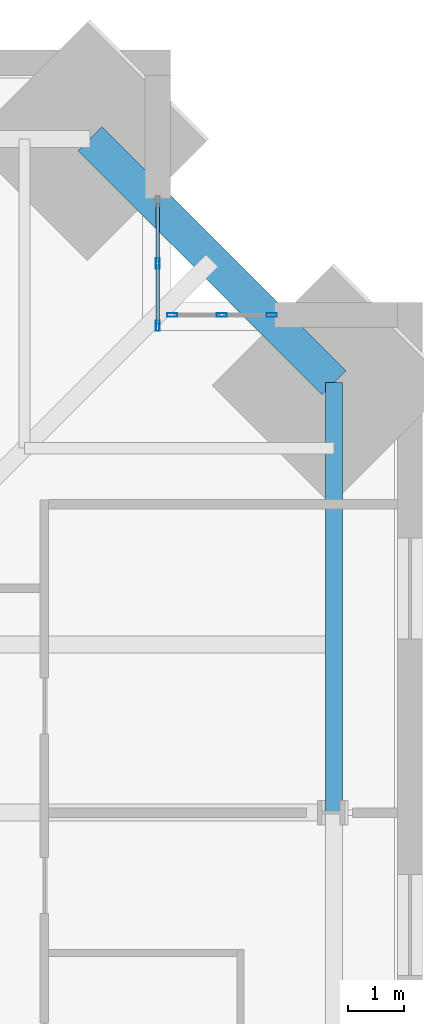
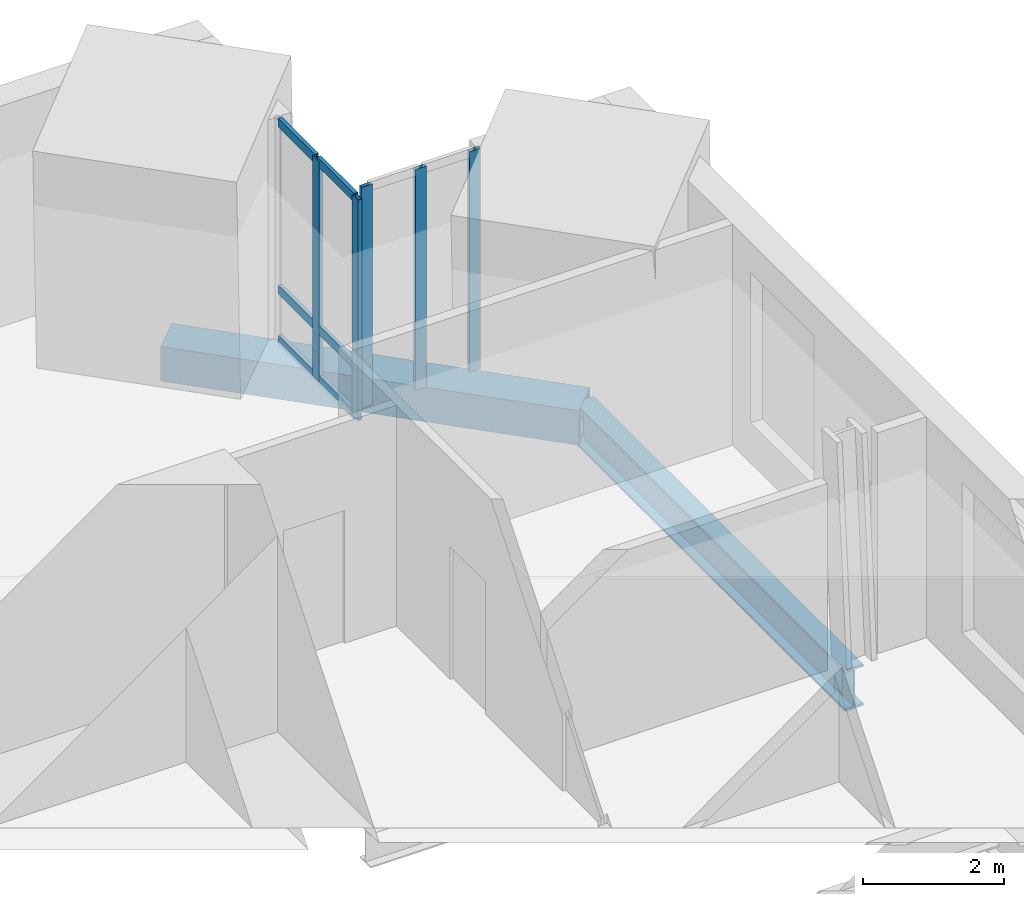
# One storey, part 8 of 16: 11 members, 2 beams, 2 elements without a shape of their own.
"""IFC4 building model written with IfcOpenShell, lengths in metres."""

from ifc_helpers import new_model, si_unit, direction, frame, origin, origin_2d, place, context, subcontext, project, spatial, hollow_rectangle, i_section, extrude, material, material_profile, profile_set, type_object, element, aggregate, save


model = new_model("IFC4")

# Units and contexts
model_context = context("Model", 3, precision=1e-05, world=origin(), true_north=direction((0.0, 1.0)))
body_context = subcontext(model_context, "Body", "Model", "MODEL_VIEW")
ifc_project = project(units=[si_unit("LENGTHUNIT", "METRE"), si_unit("AREAUNIT", "SQUARE_METRE"), si_unit("VOLUMEUNIT", "CUBIC_METRE"), si_unit("PLANEANGLEUNIT", "RADIAN"), si_unit("MASSUNIT", "GRAM", prefix="KILO")], contexts=[model_context])

# Site, building, storey
site_placement = place(None, origin())
site = spatial("IfcSite", under=ifc_project, at=site_placement, CompositionType="ELEMENT")
building_placement = place(site_placement, origin())
building = spatial("IfcBuilding", under=site, at=building_placement, Name="Peilmerk Tower", CompositionType="ELEMENT")
storey_placement = place(building_placement, frame((0.0, 0.0, 269.800048828125)))
storey = spatial("IfcBuildingStorey", under=building, at=storey_placement, Name="L60", CompositionType="ELEMENT", Elevation=269.800048828125)

# Beams
ifc_material_1 = material(Name="Steel S460", Category="steel")
ifc_material_profile_1 = material_profile(ifc_material_1, hollow_rectangle(XDim=0.60009765625, YDim=0.60009765625, WallThickness=0.06005859375, at=origin_2d()), Name="BOX 600x600x60")
ifc_profile_set_1 = profile_set([ifc_material_profile_1], Name="Steel S460")
beam_type_1 = type_object("IfcBeamType", Name="B20 BOX 600x600x60 notch beam", PredefinedType="SPANDREL", material=ifc_profile_set_1)
beam_1_placement = place(storey_placement, frame((15.667724609375, 20.017822265625, -0.469970703125), z_axis=(0.707106781187, -0.707106781187, 0.0), x_axis=(0.707106781187, 0.707106781187, 0.0)))
element("IfcBeam", 1, at=beam_1_placement, inside=storey, type_object=beam_type_1, Name="Notch beam L60", PredefinedType="SPANDREL", context=body_context, shape_type="SweptSolid", body=[
    extrude(hollow_rectangle(XDim=0.60009765625, YDim=0.60009765625, WallThickness=0.06005859375, at=origin_2d()), origin(), (0.0, 0.0, 1.0), 6.15185546875),
])
ifc_material_2 = material(Name="Steel S355", Category="steel")
ifc_material_profile_2 = material_profile(ifc_material_2, i_section(OverallWidth=0.303955078125, OverallDepth=0.716064453125, WebThickness=0.02099609375, FlangeThickness=0.0400390625, at=origin_2d()), Name="HEM 700")
ifc_profile_set_2 = profile_set([ifc_material_profile_2], Name="Steel S355")
beam_type_2 = type_object("IfcBeamType", Name="B30 HEM 700 edge beam", PredefinedType="SPANDREL", material=ifc_profile_set_2)
beam_2_placement = place(storey_placement, frame((20.017822265625, 8.0, -0.528076171875), z_axis=(0.0, 1.0, 0.0), x_axis=(-1.0, 0.0, 0.0)))
element("IfcBeam", 2, at=beam_2_placement, inside=storey, type_object=beam_type_2, Name="Edge beam L60", PredefinedType="SPANDREL", context=body_context, shape_type="SweptSolid", body=[
    extrude(i_section(OverallWidth=0.303955078125, OverallDepth=0.716064453125, WebThickness=0.02099609375, FlangeThickness=0.0400390625, at=origin_2d()), origin(), (0.0, 0.0, 1.0), 7.667724609375),
])

# Curtain wall, members
ifc_material_3 = material(Name="Aluminium stick curtain wall", Category="aluminium")
curtain_wall_type = type_object("IfcCurtainWallType", Name="CW4 stick curtain wall, 2250 module", PredefinedType="NOTDEFINED", material=ifc_material_3)
curtain_wall_1_placement = place(storey_placement, origin())
curtain_wall_1 = element("IfcCurtainWall", 3, at=curtain_wall_1_placement, inside=storey, type_object=curtain_wall_type, Name="Curtain wall CW4 NEA L60", PredefinedType="NOTDEFINED")
ifc_material_4 = material(Name="Aluminium EN AW-6063 T6", Category="aluminium")
ifc_material_profile_3 = material_profile(ifc_material_4, hollow_rectangle(XDim=0.06494140625, YDim=0.179931640625, WallThickness=0.0029296875, at=origin_2d()), Name="AL 180x65x3")
ifc_profile_set_3 = profile_set([ifc_material_profile_3], Name="Aluminium EN AW-6063 T6")
member_type_1 = type_object("IfcMemberType", Name="CW4-M AL 180x65x3 mullion", PredefinedType="MULLION", material=ifc_profile_set_3)
member_1_placement = place(storey_placement, frame((16.875, 16.6826171875, 0.0), z_axis=(0.0, 0.0, 1.0), x_axis=(-1.0, 0.0, 0.0)))
member_1 = element("IfcMember", 4, at=member_1_placement, type_object=member_type_1, Name="CW4 mullion 1", PredefinedType="MULLION", context=body_context, shape_type="SweptSolid", body=[
    extrude(hollow_rectangle(XDim=0.06494140625, YDim=0.179931640625, WallThickness=0.0029296875, at=origin_2d()), origin(), (0.0, 0.0, 1.0), 3.829833984375),
])
member_2_placement = place(storey_placement, frame((16.875, 17.79443359375, 0.0), z_axis=(0.0, 0.0, 1.0), x_axis=(-1.0, 0.0, 0.0)))
member_2 = element("IfcMember", 5, at=member_2_placement, type_object=member_type_1, Name="CW4 mullion 2", PredefinedType="MULLION", context=body_context, shape_type="SweptSolid", body=[
    extrude(hollow_rectangle(XDim=0.06494140625, YDim=0.179931640625, WallThickness=0.0029296875, at=origin_2d()), origin(), (0.0, 0.0, 1.0), 3.829833984375),
])

curtain_wall_2_placement = place(storey_placement, origin())
curtain_wall_2 = element("IfcCurtainWall", 6, at=curtain_wall_2_placement, inside=storey, type_object=curtain_wall_type, Name="Curtain wall CW4 NEB L60", PredefinedType="NOTDEFINED")
member_3_placement = place(storey_placement, frame((17.132568359375, 16.875, 0.0), z_axis=(0.0, 0.0, 1.0), x_axis=(0.0, 1.0, 0.0)))
member_3 = element("IfcMember", 7, at=member_3_placement, type_object=member_type_1, Name="CW4 mullion 1", PredefinedType="MULLION", context=body_context, shape_type="SweptSolid", body=[
    extrude(hollow_rectangle(XDim=0.06494140625, YDim=0.179931640625, WallThickness=0.0029296875, at=origin_2d()), origin(), (0.0, 0.0, 1.0), 3.829833984375),
])
member_4_placement = place(storey_placement, frame((18.019287109375, 16.875, 0.0), z_axis=(0.0, 0.0, 1.0), x_axis=(0.0, 1.0, 0.0)))
member_4 = element("IfcMember", 8, at=member_4_placement, type_object=member_type_1, Name="CW4 mullion 2", PredefinedType="MULLION", context=body_context, shape_type="SweptSolid", body=[
    extrude(hollow_rectangle(XDim=0.06494140625, YDim=0.179931640625, WallThickness=0.0029296875, at=origin_2d()), origin(), (0.0, 0.0, 1.0), 3.829833984375),
])
member_5_placement = place(storey_placement, frame((18.90625, 16.875, 0.0), z_axis=(0.0, 0.0, 1.0), x_axis=(0.0, 1.0, 0.0)))
member_5 = element("IfcMember", 9, at=member_5_placement, type_object=member_type_1, Name="CW4 mullion 3", PredefinedType="MULLION", context=body_context, shape_type="SweptSolid", body=[
    extrude(hollow_rectangle(XDim=0.06494140625, YDim=0.179931640625, WallThickness=0.0029296875, at=origin_2d()), origin(), (0.0, 0.0, 1.0), 3.829833984375),
])
aggregate(curtain_wall_2, [member_3, member_4, member_5])

# Member
ifc_material_profile_4 = material_profile(ifc_material_4, hollow_rectangle(XDim=0.06494140625, YDim=0.14990234375, WallThickness=0.0029296875, at=origin_2d()), Name="AL 150x65x3")
ifc_profile_set_4 = profile_set([ifc_material_profile_4], Name="Aluminium EN AW-6063 T6")
member_type_2 = type_object("IfcMemberType", Name="CW4-T AL 150x65x3 transom", PredefinedType="USERDEFINED", material=ifc_profile_set_4)
member_6_placement = place(storey_placement, frame((16.875, 16.715087890625, 0.032470703125), z_axis=(0.0, 1.0, 0.0), x_axis=(-1.0, 0.0, 0.0)))
member_6 = element("IfcMember", 10, at=member_6_placement, type_object=member_type_2, Name="CW4 transom 1.1", ObjectType="TRANSOM", PredefinedType="USERDEFINED", context=body_context, shape_type="SweptSolid", body=[
    extrude(hollow_rectangle(XDim=0.06494140625, YDim=0.14990234375, WallThickness=0.0029296875, at=origin_2d()), origin(), (0.0, 0.0, 1.0), 1.046630859375),
])

member_7_placement = place(storey_placement, frame((16.875, 16.715087890625, 0.89990234375), z_axis=(0.0, 1.0, 0.0), x_axis=(-1.0, 0.0, 0.0)))
member_7 = element("IfcMember", 11, at=member_7_placement, type_object=member_type_2, Name="CW4 transom 1.2", ObjectType="TRANSOM", PredefinedType="USERDEFINED", context=body_context, shape_type="SweptSolid", body=[
    extrude(hollow_rectangle(XDim=0.06494140625, YDim=0.14990234375, WallThickness=0.0029296875, at=origin_2d()), origin(), (0.0, 0.0, 1.0), 1.046630859375),
])

member_8_placement = place(storey_placement, frame((16.875, 16.715087890625, 3.79736328125), z_axis=(0.0, 1.0, 0.0), x_axis=(-1.0, 0.0, 0.0)))
member_8 = element("IfcMember", 12, at=member_8_placement, type_object=member_type_2, Name="CW4 transom 1.3", ObjectType="TRANSOM", PredefinedType="USERDEFINED", context=body_context, shape_type="SweptSolid", body=[
    extrude(hollow_rectangle(XDim=0.06494140625, YDim=0.14990234375, WallThickness=0.0029296875, at=origin_2d()), origin(), (0.0, 0.0, 1.0), 1.046630859375),
])

member_9_placement = place(storey_placement, frame((16.875, 17.826904296875, 0.032470703125), z_axis=(0.0, 1.0, 0.0), x_axis=(-1.0, 0.0, 0.0)))
member_9 = element("IfcMember", 13, at=member_9_placement, type_object=member_type_2, Name="CW4 transom 2.1", ObjectType="TRANSOM", PredefinedType="USERDEFINED", context=body_context, shape_type="SweptSolid", body=[
    extrude(hollow_rectangle(XDim=0.06494140625, YDim=0.14990234375, WallThickness=0.0029296875, at=origin_2d()), origin(), (0.0, 0.0, 1.0), 1.046875),
])

member_10_placement = place(storey_placement, frame((16.875, 17.826904296875, 0.89990234375), z_axis=(0.0, 1.0, 0.0), x_axis=(-1.0, 0.0, 0.0)))
member_10 = element("IfcMember", 14, at=member_10_placement, type_object=member_type_2, Name="CW4 transom 2.2", ObjectType="TRANSOM", PredefinedType="USERDEFINED", context=body_context, shape_type="SweptSolid", body=[
    extrude(hollow_rectangle(XDim=0.06494140625, YDim=0.14990234375, WallThickness=0.0029296875, at=origin_2d()), origin(), (0.0, 0.0, 1.0), 1.046875),
])

member_11_placement = place(storey_placement, frame((16.875, 17.826904296875, 3.79736328125), z_axis=(0.0, 1.0, 0.0), x_axis=(-1.0, 0.0, 0.0)))
member_11 = element("IfcMember", 15, at=member_11_placement, type_object=member_type_2, Name="CW4 transom 2.3", ObjectType="TRANSOM", PredefinedType="USERDEFINED", context=body_context, shape_type="SweptSolid", body=[
    extrude(hollow_rectangle(XDim=0.06494140625, YDim=0.14990234375, WallThickness=0.0029296875, at=origin_2d()), origin(), (0.0, 0.0, 1.0), 1.046875),
])

aggregate(curtain_wall_1, [member_1, member_2, member_6, member_7, member_8, member_9, member_10, member_11])

save(model, "model.ifc")
